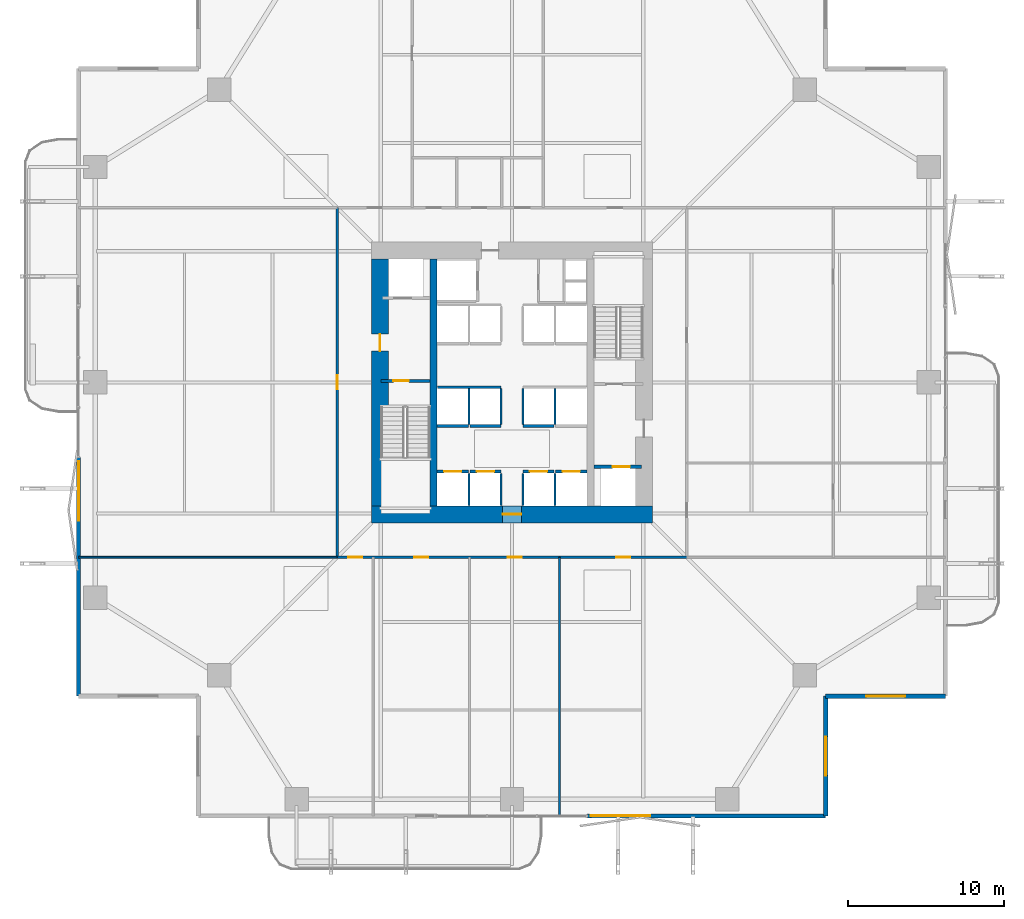
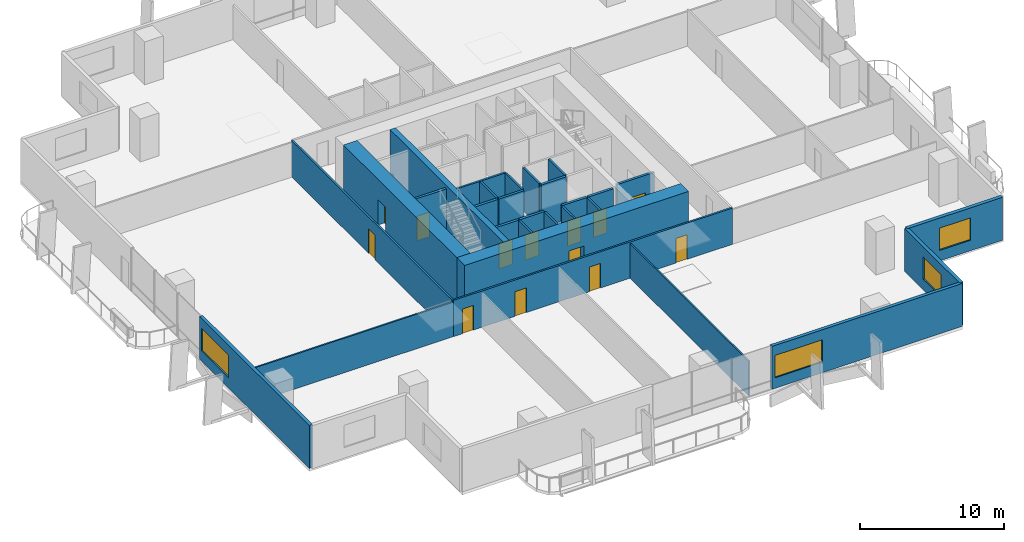
# One storey, part 17 of 23: 29 walls, 13 doors, 4 windows, 17 openings.
"""IFC4 building model written with IfcOpenShell, lengths in metres."""

from ifc_helpers import new_model, si_unit, direction, frame, frame_2d, origin, place, context, subcontext, project, spatial, rectangle, extrude, material, layer, layer_set, type_object, element, fill, save


model = new_model("IFC4")

# Units and contexts
model_context = context("Model", 3, precision=1e-05, world=origin(), true_north=direction((0.0, 1.0)))
body_context = subcontext(model_context, "Body", "Model", "MODEL_VIEW")
ifc_project = project(units=[si_unit("LENGTHUNIT", "METRE"), si_unit("AREAUNIT", "SQUARE_METRE"), si_unit("VOLUMEUNIT", "CUBIC_METRE"), si_unit("PLANEANGLEUNIT", "RADIAN"), si_unit("MASSUNIT", "GRAM", prefix="KILO")], contexts=[model_context])

# Site, building, storey
site_placement = place(None, origin())
site = spatial("IfcSite", under=ifc_project, at=site_placement, CompositionType="ELEMENT")
building_placement = place(site_placement, origin())
building = spatial("IfcBuilding", under=site, at=building_placement, Name="Belovzor Exchange Tower", CompositionType="ELEMENT")
storey_placement = place(building_placement, frame((0.0, 0.0, 41.699951171875)))
storey = spatial("IfcBuildingStorey", under=building, at=storey_placement, Name="L09", CompositionType="ELEMENT", Elevation=41.699951171875)

# Walls
ifc_material_1 = material(Name="Acoustic Plasterboard on Galvanised Studs", Category="gypsum")
ifc_layer_1 = layer(ifc_material_1, 0.1201171875)
ifc_layer_set_1 = layer_set([ifc_layer_1], Name="Acoustic Plasterboard on Galvanised Studs")
wall_type_1 = type_object("IfcWallType", Name="Acoustic Double-Stud Partition Wall 120", PredefinedType="PARTITIONING", material=ifc_layer_set_1)
for number, where, z_axis, x_axis, name in (
    (1, (31.844970703125, 1.030029296875, 0.0), (0.0, 0.0, 1.0), (0.0, 1.0, 0.0), "W-P120 Partition Wall W-L09-SDIV-3"),
    (2, (1.030029296875, 17.60009765625, 0.0), (0.0, 0.0, 1.0), (1.0, 0.0, 0.0), "W-P120 Partition Wall W-L09-END-SW"),
):
    element("IfcWall", number, at=place(storey_placement, frame(where, z_axis=z_axis, x_axis=x_axis)), inside=storey, type_object=wall_type_1, Name=name, PredefinedType="PARTITIONING", context=body_context, shape_type="SweptSolid", body=[
        extrude(rectangle(XDim=16.570068359375, YDim=0.1201171875, at=frame_2d((8.28515625, 0.0))), origin(), (0.0, 0.0, 1.0), 2.93505859375),
    ])

# Wall, openings, doors
ifc_material_2 = material(Name="Fire-Rated Gypsum Block and Mineral Wool", Category="gypsum")
ifc_layer_2 = layer(ifc_material_2, 0.14990234375)
ifc_layer_set_2 = layer_set([ifc_layer_2], Name="Fire-Rated Gypsum Block and Mineral Wool")
wall_type_2 = type_object("IfcWallType", Name="Fire-Rated Gypsum Block Corridor Wall 150", PredefinedType="PARTITIONING", material=ifc_layer_set_2)
wall_1_placement = place(storey_placement, frame((17.60009765625, 17.60009765625, 0.0), z_axis=(0.0, 0.0, 1.0), x_axis=(1.0, 0.0, 0.0)))
wall_1 = element("IfcWall", 3, at=wall_1_placement, inside=storey, type_object=wall_type_2, Name="W-P150 Partition Wall W-L09-CS", PredefinedType="PARTITIONING", context=body_context, shape_type="SweptSolid", body=[
    extrude(rectangle(XDim=22.39990234375, YDim=0.14990234375, at=frame_2d((11.199951171875, 0.0))), origin(), (0.0, 0.0, 1.0), 3.0849609375),
])
opening_1_placement = place(wall_1_placement, frame((0.699951171875, 0.0, 0.0)))
opening_1 = element("IfcOpeningElement", 4, at=opening_1_placement, cuts=wall_1, Name="Opening D-INT-090", PredefinedType="OPENING", context=body_context, shape_type="SweptSolid", body=[
    extrude(rectangle(XDim=0.89990234375, YDim=2.10009765625, at=frame_2d((0.449951171875, 1.050048828125))), frame((0.0, 0.0849609375, 0.0), z_axis=(0.0, -1.0, 0.0), x_axis=(1.0, 0.0, 0.0)), (0.0, 0.0, 1.0), 0.169921875),
])
opening_2_placement = place(wall_1_placement, frame((4.93994140625, 0.0, 0.0)))
opening_2 = element("IfcOpeningElement", 5, at=opening_2_placement, cuts=wall_1, Name="Opening D-INT-090", PredefinedType="OPENING", context=body_context, shape_type="SweptSolid", body=[
    extrude(rectangle(XDim=0.89990234375, YDim=2.10009765625, at=frame_2d((0.449951171875, 1.050048828125))), frame((0.0, 0.0849609375, 0.0), z_axis=(0.0, -1.0, 0.0), x_axis=(1.0, 0.0, 0.0)), (0.0, 0.0, 1.0), 0.169921875),
])
opening_3_placement = place(wall_1_placement, frame((10.912109375, 0.0, 0.0)))
opening_3 = element("IfcOpeningElement", 6, at=opening_3_placement, cuts=wall_1, Name="Opening D-INT-090", PredefinedType="OPENING", context=body_context, shape_type="SweptSolid", body=[
    extrude(rectangle(XDim=0.89990234375, YDim=2.10009765625, at=frame_2d((0.449951171875, 1.050048828125))), frame((0.0, 0.0849609375, 0.0), z_axis=(0.0, -1.0, 0.0), x_axis=(1.0, 0.0, 0.0)), (0.0, 0.0, 1.0), 0.169921875),
])
opening_4_placement = place(wall_1_placement, frame((17.8720703125, 0.0, 0.0)))
opening_4 = element("IfcOpeningElement", 7, at=opening_4_placement, cuts=wall_1, Name="Opening D-INT-090", PredefinedType="OPENING", context=body_context, shape_type="SweptSolid", body=[
    extrude(rectangle(XDim=0.89990234375, YDim=2.10009765625, at=frame_2d((0.449951171875, 1.050048828125))), frame((0.0, 0.0849609375, 0.0), z_axis=(0.0, -1.0, 0.0), x_axis=(1.0, 0.0, 0.0)), (0.0, 0.0, 1.0), 0.169921875),
])
ifc_material_3 = material(Name="Veneered Hardwood Acoustic Leaf", Category="wood")
door_type_1 = type_object("IfcDoorType", Name="Trading Suite Acoustic Single Door 900x2100", OperationType="NOTDEFINED", PredefinedType="DOOR", material=ifc_material_3)
door_1_placement = place(opening_1_placement, origin())
door_1 = element("IfcDoor", 8, at=door_1_placement, inside=storey, type_object=door_type_1, Name="D-INT-090 Trading Suite Acoustic Single Door 900x2100", OperationType="SINGLE_SWING_RIGHT", OverallHeight=2.10009765625, OverallWidth=0.89990234375, PredefinedType="DOOR", context=body_context, shape_type="SweptSolid", body=[
    extrude(rectangle(XDim=0.89990234375, YDim=2.10009765625, at=frame_2d((0.449951171875, 1.050048828125))), frame((0.0, 0.02490234375, 0.0), z_axis=(0.0, -1.0, 0.0), x_axis=(1.0, 0.0, 0.0)), (0.0, 0.0, 1.0), 0.050048828125),
])
fill(opening_1, door_1)
door_2_placement = place(opening_2_placement, origin())
door_2 = element("IfcDoor", 9, at=door_2_placement, inside=storey, type_object=door_type_1, Name="D-INT-090 Trading Suite Acoustic Single Door 900x2100", OperationType="SINGLE_SWING_LEFT", OverallHeight=2.10009765625, OverallWidth=0.89990234375, PredefinedType="DOOR", context=body_context, shape_type="SweptSolid", body=[
    extrude(rectangle(XDim=0.89990234375, YDim=2.10009765625, at=frame_2d((0.449951171875, 1.050048828125))), frame((0.0, 0.02490234375, 0.0), z_axis=(0.0, -1.0, 0.0), x_axis=(1.0, 0.0, 0.0)), (0.0, 0.0, 1.0), 0.050048828125),
])
fill(opening_2, door_2)
door_3_placement = place(opening_3_placement, origin())
door_3 = element("IfcDoor", 10, at=door_3_placement, inside=storey, type_object=door_type_1, Name="D-INT-090 Trading Suite Acoustic Single Door 900x2100", OperationType="SINGLE_SWING_RIGHT", OverallHeight=2.10009765625, OverallWidth=0.89990234375, PredefinedType="DOOR", context=body_context, shape_type="SweptSolid", body=[
    extrude(rectangle(XDim=0.89990234375, YDim=2.10009765625, at=frame_2d((0.449951171875, 1.050048828125))), frame((0.0, 0.02490234375, 0.0), z_axis=(0.0, -1.0, 0.0), x_axis=(1.0, 0.0, 0.0)), (0.0, 0.0, 1.0), 0.050048828125),
])
fill(opening_3, door_3)
door_4_placement = place(opening_4_placement, origin())
door_4 = element("IfcDoor", 11, at=door_4_placement, inside=storey, type_object=door_type_1, Name="D-INT-090 Trading Suite Acoustic Single Door 900x2100", OperationType="SINGLE_SWING_LEFT", OverallHeight=2.10009765625, OverallWidth=0.89990234375, PredefinedType="DOOR", context=body_context, shape_type="SweptSolid", body=[
    extrude(rectangle(XDim=0.89990234375, YDim=2.10009765625, at=frame_2d((0.449951171875, 1.050048828125))), frame((0.0, 0.02490234375, 0.0), z_axis=(0.0, -1.0, 0.0), x_axis=(1.0, 0.0, 0.0)), (0.0, 0.0, 1.0), 0.050048828125),
])
fill(opening_4, door_4)

# Wall, opening, door
wall_2_placement = place(storey_placement, frame((17.60009765625, 17.60009765625, 0.0), z_axis=(0.0, 0.0, 1.0), x_axis=(0.0, 1.0, 0.0)))
wall_2 = element("IfcWall", 12, at=wall_2_placement, inside=storey, type_object=wall_type_2, Name="W-P150 Partition Wall W-L09-CW", PredefinedType="PARTITIONING", context=body_context, shape_type="SweptSolid", body=[
    extrude(rectangle(XDim=22.39990234375, YDim=0.14990234375, at=frame_2d((11.199951171875, 0.0))), origin(), (0.0, 0.0, 1.0), 3.0849609375),
])
opening_5_placement = place(wall_2_placement, frame((10.75, 0.0, 0.0)))
opening_5 = element("IfcOpeningElement", 13, at=opening_5_placement, cuts=wall_2, Name="Opening D-INT-090", PredefinedType="OPENING", context=body_context, shape_type="SweptSolid", body=[
    extrude(rectangle(XDim=0.89990234375, YDim=2.10009765625, at=frame_2d((0.449951171875, 1.050048828125))), frame((0.0, 0.0849609375, 0.0), z_axis=(0.0, -1.0, 0.0), x_axis=(1.0, 0.0, 0.0)), (0.0, 0.0, 1.0), 0.169921875),
])
door_5_placement = place(opening_5_placement, origin())
door_5 = element("IfcDoor", 14, at=door_5_placement, inside=storey, type_object=door_type_1, Name="D-INT-090 Trading Suite Acoustic Single Door 900x2100", OperationType="SINGLE_SWING_RIGHT", OverallHeight=2.10009765625, OverallWidth=0.89990234375, PredefinedType="DOOR", context=body_context, shape_type="SweptSolid", body=[
    extrude(rectangle(XDim=0.89990234375, YDim=2.10009765625, at=frame_2d((0.449951171875, 1.050048828125))), frame((0.0, 0.02490234375, 0.0), z_axis=(0.0, -1.0, 0.0), x_axis=(1.0, 0.0, 0.0)), (0.0, 0.0, 1.0), 0.050048828125),
])
fill(opening_5, door_5)

# Wall, opening, window
ifc_material_4 = material(Name="Precast concrete C40/50", Category="concrete")
ifc_layer_3 = layer(ifc_material_4, 0.280029296875)
ifc_layer_set_3 = layer_set([ifc_layer_3], Name="Precast concrete C40/50")
wall_type_3 = type_object("IfcWallType", Name="Precast Concrete Notched Corner Frame Wall 280", PredefinedType="SOLIDWALL", material=ifc_layer_set_3)
wall_3_placement = place(storey_placement, frame((56.570068359375, 8.699951171875, 0.0), z_axis=(0.0, 0.0, 1.0), x_axis=(-1.0, 0.0, 0.0)))
wall_3 = element("IfcWall", 15, at=wall_3_placement, inside=storey, type_object=wall_type_3, Name="W-CRN280 Precast Concrete Notched Corner Frame Wall 280 L09", PredefinedType="SOLIDWALL", context=body_context, shape_type="SweptSolid", body=[
    extrude(rectangle(XDim=7.670166015625, YDim=0.280029296875, at=frame_2d((3.8349609375, 0.0))), origin(), (0.0, 0.0, 1.0), 3.650146484375),
])
opening_6_placement = place(wall_3_placement, frame((2.5849609375, 0.0, 0.89990234375)))
opening_6 = element("IfcOpeningElement", 16, at=opening_6_placement, cuts=wall_3, Name="Opening WN-CRN250", PredefinedType="OPENING", context=body_context, shape_type="SweptSolid", body=[
    extrude(rectangle(XDim=2.5, YDim=1.89990234375, at=frame_2d((1.25, 0.949951171875))), frame((0.0, 0.14990234375, 0.0), z_axis=(0.0, -1.0, 0.0), x_axis=(1.0, 0.0, 0.0)), (0.0, 0.0, 1.0), 0.300048828125),
])
ifc_material_5 = material(Name="Thermally Broken Aluminium and Triple Glazing", Category="aluminium")
window_type_1 = type_object("IfcWindowType", Name="Streamline Moderne Corner Wrap Ribbon Window 2500x1900", PartitioningType="SINGLE_PANEL", PredefinedType="WINDOW", material=ifc_material_5)
window_1_placement = place(opening_6_placement, origin())
window_1 = element("IfcWindow", 17, at=window_1_placement, inside=storey, type_object=window_type_1, Name="WN-CRN250 Streamline Moderne Corner Wrap Ribbon Window 2500x1900", OverallHeight=1.89990234375, OverallWidth=2.5, PartitioningType="SINGLE_PANEL", PredefinedType="WINDOW", context=body_context, shape_type="SweptSolid", body=[
    extrude(rectangle(XDim=2.5, YDim=1.89990234375, at=frame_2d((1.25, 0.949951171875))), frame((0.0, 0.030029296875, 0.0), z_axis=(0.0, -1.0, 0.0), x_axis=(1.0, 0.0, 0.0)), (0.0, 0.0, 1.0), 0.06005859375),
])
fill(opening_6, window_1)

wall_4_placement = place(storey_placement, frame((48.89990234375, 8.699951171875, 0.0), z_axis=(0.0, 0.0, 1.0), x_axis=(0.0, -1.0, 0.0)))
wall_4 = element("IfcWall", 18, at=wall_4_placement, inside=storey, type_object=wall_type_3, Name="W-CRN280 Precast Concrete Notched Corner Frame Wall 280 L09", PredefinedType="SOLIDWALL", context=body_context, shape_type="SweptSolid", body=[
    extrude(rectangle(XDim=7.669921875, YDim=0.280029296875, at=frame_2d((3.8349609375, 0.0))), origin(), (0.0, 0.0, 1.0), 3.650146484375),
])
opening_7_placement = place(wall_4_placement, frame((2.5849609375, 0.0, 0.89990234375)))
opening_7 = element("IfcOpeningElement", 19, at=opening_7_placement, cuts=wall_4, Name="Opening WN-CRN250", PredefinedType="OPENING", context=body_context, shape_type="SweptSolid", body=[
    extrude(rectangle(XDim=2.5, YDim=1.89990234375, at=frame_2d((1.25, 0.949951171875))), frame((0.0, 0.14990234375, 0.0), z_axis=(0.0, -1.0, 0.0), x_axis=(1.0, 0.0, 0.0)), (0.0, 0.0, 1.0), 0.300048828125),
])
window_2_placement = place(opening_7_placement, origin())
window_2 = element("IfcWindow", 20, at=window_2_placement, inside=storey, type_object=window_type_1, Name="WN-CRN250 Streamline Moderne Corner Wrap Ribbon Window 2500x1900", OverallHeight=1.89990234375, OverallWidth=2.5, PartitioningType="SINGLE_PANEL", PredefinedType="WINDOW", context=body_context, shape_type="SweptSolid", body=[
    extrude(rectangle(XDim=2.5, YDim=1.89990234375, at=frame_2d((1.25, 0.949951171875))), frame((0.0, 0.030029296875, 0.0), z_axis=(0.0, -1.0, 0.0), x_axis=(1.0, 0.0, 0.0)), (0.0, 0.0, 1.0), 0.06005859375),
])
fill(opening_7, window_2)

ifc_material_6 = material(Name="Precast concrete C40/50", Category="concrete")
ifc_layer_4 = layer(ifc_material_6, 0.260009765625)
ifc_layer_set_4 = layer_set([ifc_layer_4], Name="Precast concrete C40/50")
wall_type_4 = type_object("IfcWallType", Name="Precast Concrete Perimeter Loggia Frame Wall 260", PredefinedType="SOLIDWALL", material=ifc_layer_set_4)
wall_5_placement = place(storey_placement, frame((48.89990234375, 1.030029296875, 0.0), z_axis=(0.0, 0.0, 1.0), x_axis=(-1.0, 0.0, 0.0)))
wall_5 = element("IfcWall", 21, at=wall_5_placement, inside=storey, type_object=wall_type_4, Name="W-EXT260 Precast Concrete Perimeter Loggia Frame Wall 260 L09", PredefinedType="SOLIDWALL", context=body_context, shape_type="SweptSolid", body=[
    extrude(rectangle(XDim=15.2998046875, YDim=0.260009765625, at=frame_2d((7.64990234375, 0.0))), origin(), (0.0, 0.0, 1.0), 3.650146484375),
])
opening_8_placement = place(wall_5_placement, frame((11.25, 0.0, 0.89990234375)))
opening_8 = element("IfcOpeningElement", 22, at=opening_8_placement, cuts=wall_5, Name="Opening WN-RIB380", PredefinedType="OPENING", context=body_context, shape_type="SweptSolid", body=[
    extrude(rectangle(XDim=3.800048828125, YDim=1.89990234375, at=frame_2d((1.89990234375, 0.949951171875))), frame((0.0, 0.139892578125, 0.0), z_axis=(0.0, -1.0, 0.0), x_axis=(1.0, 0.0, 0.0)), (0.0, 0.0, 1.0), 0.280029296875),
])
ifc_material_7 = material(Name="Thermally Broken Aluminium and Triple Glazing", Category="aluminium")
window_type_2 = type_object("IfcWindowType", Name="Streamline Moderne Horizontal Ribbon Window 3800x1900", PartitioningType="SINGLE_PANEL", PredefinedType="WINDOW", material=ifc_material_7)
window_3_placement = place(opening_8_placement, origin())
window_3 = element("IfcWindow", 23, at=window_3_placement, inside=storey, type_object=window_type_2, Name="WN-RIB380 Streamline Moderne Horizontal Ribbon Window 3800x1900", OverallHeight=1.89990234375, OverallWidth=3.800048828125, PartitioningType="SINGLE_PANEL", PredefinedType="WINDOW", context=body_context, shape_type="SweptSolid", body=[
    extrude(rectangle(XDim=3.800048828125, YDim=1.89990234375, at=frame_2d((1.89990234375, 0.949951171875))), frame((0.0, 0.030029296875, 0.0), z_axis=(0.0, -1.0, 0.0), x_axis=(1.0, 0.0, 0.0)), (0.0, 0.0, 1.0), 0.06005859375),
])
fill(opening_8, window_3)

wall_6_placement = place(storey_placement, frame((1.030029296875, 8.699951171875, 0.0), z_axis=(0.0, 0.0, 1.0), x_axis=(0.0, 1.0, 0.0)))
wall_6 = element("IfcWall", 24, at=wall_6_placement, inside=storey, type_object=wall_type_4, Name="W-EXT260 Precast Concrete Perimeter Loggia Frame Wall 260 L09", PredefinedType="SOLIDWALL", context=body_context, shape_type="SweptSolid", body=[
    extrude(rectangle(XDim=15.300048828125, YDim=0.260009765625, at=frame_2d((7.64990234375, 0.0))), origin(), (0.0, 0.0, 1.0), 3.650146484375),
])
opening_9_placement = place(wall_6_placement, frame((11.25, 0.0, 0.89990234375)))
opening_9 = element("IfcOpeningElement", 25, at=opening_9_placement, cuts=wall_6, Name="Opening WN-RIB380", PredefinedType="OPENING", context=body_context, shape_type="SweptSolid", body=[
    extrude(rectangle(XDim=3.800048828125, YDim=1.89990234375, at=frame_2d((1.89990234375, 0.949951171875))), frame((0.0, 0.139892578125, 0.0), z_axis=(0.0, -1.0, 0.0), x_axis=(1.0, 0.0, 0.0)), (0.0, 0.0, 1.0), 0.280029296875),
])
window_4_placement = place(opening_9_placement, origin())
window_4 = element("IfcWindow", 26, at=window_4_placement, inside=storey, type_object=window_type_2, Name="WN-RIB380 Streamline Moderne Horizontal Ribbon Window 3800x1900", OverallHeight=1.89990234375, OverallWidth=3.800048828125, PartitioningType="SINGLE_PANEL", PredefinedType="WINDOW", context=body_context, shape_type="SweptSolid", body=[
    extrude(rectangle(XDim=3.800048828125, YDim=1.89990234375, at=frame_2d((1.89990234375, 0.949951171875))), frame((0.0, 0.030029296875, 0.0), z_axis=(0.0, -1.0, 0.0), x_axis=(1.0, 0.0, 0.0)), (0.0, 0.0, 1.0), 0.06005859375),
])
fill(opening_9, window_4)

# Walls
ifc_material_8 = material(Name="Concrete C50/60", Category="concrete")
ifc_layer_5 = layer(ifc_material_8, 0.449951171875)
ifc_layer_set_5 = layer_set([ifc_layer_5], Name="Concrete C50/60")
wall_type_5 = type_object("IfcWallType", Name="Reinforced Concrete Core Internal Web Wall 450", PredefinedType="SHEAR", material=ifc_layer_set_5)
wall_7_placement = place(storey_placement, frame((23.77490234375, 20.89990234375, 0.0), z_axis=(0.0, 0.0, 1.0), x_axis=(0.0, 1.0, 0.0)))
element("IfcWall", 27, at=wall_7_placement, inside=storey, type_object=wall_type_5, Name="CW-W045 Core Internal Web Wall L09 WL", PredefinedType="SHEAR", context=body_context, shape_type="SweptSolid", body=[
    extrude(rectangle(XDim=15.800048828125, YDim=0.449951171875, at=frame_2d((7.89990234375, 0.0))), origin(), (0.0, 0.0, 1.0), 3.900146484375),
])
ifc_material_9 = material(Name="Concrete C50/60", Category="concrete")
ifc_layer_6 = layer(ifc_material_9, 0.14990234375)
ifc_layer_set_6 = layer_set([ifc_layer_6], Name="Concrete C50/60")
wall_type_6 = type_object("IfcWallType", Name="Reinforced Concrete Core Riser Shear Wall 150", PredefinedType="SHEAR", material=ifc_layer_set_6)
for number, where, z_axis, x_axis, name in (
    (28, (26.050048828125, 20.919921875, 0.0), (0.0, 0.0, 1.0), (0.0, 1.0, 0.0), "W-C150S Core Shaft Wall W-SHD-L09-PLL-1"),
    (29, (28.10009765625, 20.919921875, 0.0), (0.0, 0.0, 1.0), (0.0, 1.0, 0.0), "W-C150S Core Shaft Wall W-SHD-L09-PLL-2"),
    (30, (29.5, 20.919921875, 0.0), (0.0, 0.0, 1.0), (0.0, 1.0, 0.0), "W-C150S Core Shaft Wall W-SHD-L09-PLL-3"),
    (31, (31.550048828125, 20.919921875, 0.0), (0.0, 0.0, 1.0), (0.0, 1.0, 0.0), "W-C150S Core Shaft Wall W-SHD-L09-PLL-4"),
):
    element("IfcWall", number, at=place(storey_placement, frame(where, z_axis=z_axis, x_axis=x_axis)), inside=storey, type_object=wall_type_6, Name=name, PredefinedType="SHEAR", context=body_context, shape_type="SweptSolid", body=[
        extrude(rectangle(XDim=2.06005859375, YDim=0.14990234375, at=frame_2d((1.030029296875, 0.0))), origin(), (0.0, 0.0, 1.0), 3.650146484375),
    ])
wall_8_placement = place(storey_placement, frame((24.02001953125, 28.5, 0.0), z_axis=(0.0, 0.0, 1.0), x_axis=(1.0, 0.0, 0.0)))
element("IfcWall", 32, at=wall_8_placement, inside=storey, type_object=wall_type_6, Name="W-C150S Core Shaft Wall W-SHB-L09-PLM-NW", PredefinedType="SHEAR", context=body_context, shape_type="SweptSolid", body=[
    extrude(rectangle(XDim=4.080078125, YDim=0.14990234375, at=frame_2d((2.0400390625, 0.0))), origin(), (0.0, 0.0, 1.0), 3.650146484375),
])
for number, where, z_axis, x_axis, name in (
    (33, (26.050048828125, 26.1201171875, 0.0), (0.0, 0.0, 1.0), (0.0, 1.0, 0.0), "W-C150S Core Shaft Wall W-SHD-L09-PLM-1"),
    (34, (28.10009765625, 26.1201171875, 0.0), (0.0, 0.0, 1.0), (0.0, 1.0, 0.0), "W-C150S Core Shaft Wall W-SHD-L09-PLM-2"),
    (35, (29.5, 26.1201171875, 0.0), (0.0, 0.0, 1.0), (0.0, 1.0, 0.0), "W-C150S Core Shaft Wall W-SHD-L09-PLM-3"),
    (36, (31.550048828125, 26.1201171875, 0.0), (0.0, 0.0, 1.0), (0.0, 1.0, 0.0), "W-C150S Core Shaft Wall W-SHD-L09-PLM-4"),
):
    element("IfcWall", number, at=place(storey_placement, frame(where, z_axis=z_axis, x_axis=x_axis)), inside=storey, type_object=wall_type_6, Name=name, PredefinedType="SHEAR", context=body_context, shape_type="SweptSolid", body=[
        extrude(rectangle(XDim=2.27978515625, YDim=0.14990234375, at=frame_2d((1.139892578125, 0.0))), origin(), (0.0, 0.0, 1.0), 3.650146484375),
    ])

# Wall, opening, door
ifc_material_10 = material(Name="Concrete C50/60", Category="concrete")
ifc_layer_7 = layer(ifc_material_10, 0.199951171875)
ifc_layer_set_7 = layer_set([ifc_layer_7], Name="Concrete C50/60")
wall_type_7 = type_object("IfcWallType", Name="Reinforced Concrete Core Shaft Shear Wall 200", PredefinedType="SHEAR", material=ifc_layer_set_7)
wall_9_placement = place(storey_placement, frame((20.39990234375, 28.89990234375, 0.0), z_axis=(0.0, 0.0, 1.0), x_axis=(1.0, 0.0, 0.0)))
wall_9 = element("IfcWall", 37, at=wall_9_placement, inside=storey, type_object=wall_type_7, Name="W-C200S Core Shaft Wall W-CORE-L09-FFLW1", PredefinedType="SHEAR", context=body_context, shape_type="SweptSolid", body=[
    extrude(rectangle(XDim=3.150146484375, YDim=0.199951171875, at=frame_2d((1.5751953125, 0.0))), origin(), (0.0, 0.0, 1.0), 3.650146484375),
])
opening_10_placement = place(wall_9_placement, frame((0.800048828125, 0.0, 0.0)))
opening_10 = element("IfcOpeningElement", 38, at=opening_10_placement, cuts=wall_9, Name="Opening D-FD90-100", PredefinedType="OPENING", context=body_context, shape_type="SweptSolid", body=[
    extrude(rectangle(XDim=1.0, YDim=2.10009765625, at=frame_2d((0.5, 1.050048828125))), frame((0.0, 0.10986328125, 0.0), z_axis=(0.0, -1.0, 0.0), x_axis=(1.0, 0.0, 0.0)), (0.0, 0.0, 1.0), 0.219970703125),
])
ifc_material_11 = material(Name="Fire-Rated Galvanised Steel Leaf", Category="steel")
door_type_2 = type_object("IfcDoorType", Name="Protected Stairwell Single Fire Door 1000x2100", OperationType="NOTDEFINED", PredefinedType="DOOR", material=ifc_material_11)
door_6_placement = place(opening_10_placement, origin())
door_6 = element("IfcDoor", 39, at=door_6_placement, inside=storey, type_object=door_type_2, Name="D-FD90-100 Protected Stairwell Single Fire Door 1000x2100", OperationType="SINGLE_SWING_RIGHT", OverallHeight=2.10009765625, OverallWidth=1.0, PredefinedType="DOOR", context=body_context, shape_type="SweptSolid", body=[
    extrude(rectangle(XDim=1.0, YDim=2.10009765625, at=frame_2d((0.5, 1.050048828125))), frame((0.0, 0.02490234375, 0.0), z_axis=(0.0, -1.0, 0.0), x_axis=(1.0, 0.0, 0.0)), (0.0, 0.0, 1.0), 0.050048828125),
])
fill(opening_10, door_6)

wall_10_placement = place(storey_placement, frame((34.050048828125, 23.39990234375, 0.0), z_axis=(0.0, 0.0, 1.0), x_axis=(1.0, 0.0, 0.0)))
wall_10 = element("IfcWall", 40, at=wall_10_placement, inside=storey, type_object=wall_type_7, Name="W-C200S Core Shaft Wall W-SH-L09-FFL-02", PredefinedType="SHEAR", context=body_context, shape_type="SweptSolid", body=[
    extrude(rectangle(XDim=3.050048828125, YDim=0.199951171875, at=frame_2d((1.52490234375, 0.0))), origin(), (0.0, 0.0, 1.0), 3.650146484375),
])
opening_11_placement = place(wall_10_placement, frame((1.199951171875, 0.0, 0.0)))
opening_11 = element("IfcOpeningElement", 41, at=opening_11_placement, cuts=wall_10, Name="Opening LD-110", PredefinedType="OPENING", context=body_context, shape_type="SweptSolid", body=[
    extrude(rectangle(XDim=1.10009765625, YDim=2.14990234375, at=frame_2d((0.550048828125, 1.074951171875))), frame((0.0, 0.10986328125, 0.0), z_axis=(0.0, -1.0, 0.0), x_axis=(1.0, 0.0, 0.0)), (0.0, 0.0, 1.0), 0.219970703125),
])
ifc_material_12 = material(Name="Stainless Steel Grade 304", Category="steel")
door_type_3 = type_object("IfcDoorType", Name="Automated Stainless Steel Lift Landing Door 1100x2150", OperationType="SLIDING_TO_RIGHT", PredefinedType="DOOR", material=ifc_material_12)
door_7_placement = place(opening_11_placement, origin())
door_7 = element("IfcDoor", 42, at=door_7_placement, inside=storey, type_object=door_type_3, Name="LD-110 Automated Stainless Steel Lift Landing Door 1100x2150", OperationType="SLIDING_TO_RIGHT", OverallHeight=2.14990234375, OverallWidth=1.10009765625, PredefinedType="DOOR", context=body_context, shape_type="SweptSolid", body=[
    extrude(rectangle(XDim=1.10009765625, YDim=2.14990234375, at=frame_2d((0.550048828125, 1.074951171875))), frame((0.0, 0.02490234375, 0.0), z_axis=(0.0, -1.0, 0.0), x_axis=(1.0, 0.0, 0.0)), (0.0, 0.0, 1.0), 0.050048828125),
])
fill(opening_11, door_7)

wall_11_placement = place(storey_placement, frame((24.0, 23.10009765625, 0.0), z_axis=(0.0, 0.0, 1.0), x_axis=(1.0, 0.0, 0.0)))
wall_11 = element("IfcWall", 43, at=wall_11_placement, inside=storey, type_object=wall_type_7, Name="W-C200S Core Shaft Wall W-SH-L09-PL-L1", PredefinedType="SHEAR", context=body_context, shape_type="SweptSolid", body=[
    extrude(rectangle(XDim=2.0, YDim=0.199951171875, at=frame_2d((1.0, 0.0))), origin(), (0.0, 0.0, 1.0), 3.650146484375),
])
opening_12_placement = place(wall_11_placement, frame((0.449951171875, 0.0, 0.0)))
opening_12 = element("IfcOpeningElement", 44, at=opening_12_placement, cuts=wall_11, Name="Opening LD-110", PredefinedType="OPENING", context=body_context, shape_type="SweptSolid", body=[
    extrude(rectangle(XDim=1.10009765625, YDim=2.14990234375, at=frame_2d((0.550048828125, 1.074951171875))), frame((0.0, 0.10986328125, 0.0), z_axis=(0.0, -1.0, 0.0), x_axis=(1.0, 0.0, 0.0)), (0.0, 0.0, 1.0), 0.219970703125),
])
door_8_placement = place(opening_12_placement, origin())
door_8 = element("IfcDoor", 45, at=door_8_placement, inside=storey, type_object=door_type_3, Name="LD-110 Automated Stainless Steel Lift Landing Door 1100x2150", OperationType="SLIDING_TO_RIGHT", OverallHeight=2.14990234375, OverallWidth=1.10009765625, PredefinedType="DOOR", context=body_context, shape_type="SweptSolid", body=[
    extrude(rectangle(XDim=1.10009765625, YDim=2.14990234375, at=frame_2d((0.550048828125, 1.074951171875))), frame((0.0, 0.02490234375, 0.0), z_axis=(0.0, -1.0, 0.0), x_axis=(1.0, 0.0, 0.0)), (0.0, 0.0, 1.0), 0.050048828125),
])
fill(opening_12, door_8)

wall_12_placement = place(storey_placement, frame((26.10009765625, 23.10009765625, 0.0), z_axis=(0.0, 0.0, 1.0), x_axis=(1.0, 0.0, 0.0)))
wall_12 = element("IfcWall", 46, at=wall_12_placement, inside=storey, type_object=wall_type_7, Name="W-C200S Core Shaft Wall W-SH-L09-PL-L2", PredefinedType="SHEAR", context=body_context, shape_type="SweptSolid", body=[
    extrude(rectangle(XDim=2.0, YDim=0.199951171875, at=frame_2d((1.0, 0.0))), origin(), (0.0, 0.0, 1.0), 3.650146484375),
])
opening_13_placement = place(wall_12_placement, frame((0.449951171875, 0.0, 0.0)))
opening_13 = element("IfcOpeningElement", 47, at=opening_13_placement, cuts=wall_12, Name="Opening LD-110", PredefinedType="OPENING", context=body_context, shape_type="SweptSolid", body=[
    extrude(rectangle(XDim=1.10009765625, YDim=2.14990234375, at=frame_2d((0.550048828125, 1.074951171875))), frame((0.0, 0.10986328125, 0.0), z_axis=(0.0, -1.0, 0.0), x_axis=(1.0, 0.0, 0.0)), (0.0, 0.0, 1.0), 0.219970703125),
])
door_9_placement = place(opening_13_placement, origin())
door_9 = element("IfcDoor", 48, at=door_9_placement, inside=storey, type_object=door_type_3, Name="LD-110 Automated Stainless Steel Lift Landing Door 1100x2150", OperationType="SLIDING_TO_RIGHT", OverallHeight=2.14990234375, OverallWidth=1.10009765625, PredefinedType="DOOR", context=body_context, shape_type="SweptSolid", body=[
    extrude(rectangle(XDim=1.10009765625, YDim=2.14990234375, at=frame_2d((0.550048828125, 1.074951171875))), frame((0.0, 0.02490234375, 0.0), z_axis=(0.0, -1.0, 0.0), x_axis=(1.0, 0.0, 0.0)), (0.0, 0.0, 1.0), 0.050048828125),
])
fill(opening_13, door_9)

wall_13_placement = place(storey_placement, frame((29.5, 23.10009765625, 0.0), z_axis=(0.0, 0.0, 1.0), x_axis=(1.0, 0.0, 0.0)))
wall_13 = element("IfcWall", 49, at=wall_13_placement, inside=storey, type_object=wall_type_7, Name="W-C200S Core Shaft Wall W-SH-L09-PL-L3", PredefinedType="SHEAR", context=body_context, shape_type="SweptSolid", body=[
    extrude(rectangle(XDim=2.0, YDim=0.199951171875, at=frame_2d((1.0, 0.0))), origin(), (0.0, 0.0, 1.0), 3.650146484375),
])
opening_14_placement = place(wall_13_placement, frame((0.449951171875, 0.0, 0.0)))
opening_14 = element("IfcOpeningElement", 50, at=opening_14_placement, cuts=wall_13, Name="Opening LD-110", PredefinedType="OPENING", context=body_context, shape_type="SweptSolid", body=[
    extrude(rectangle(XDim=1.10009765625, YDim=2.14990234375, at=frame_2d((0.550048828125, 1.074951171875))), frame((0.0, 0.10986328125, 0.0), z_axis=(0.0, -1.0, 0.0), x_axis=(1.0, 0.0, 0.0)), (0.0, 0.0, 1.0), 0.219970703125),
])
door_10_placement = place(opening_14_placement, origin())
door_10 = element("IfcDoor", 51, at=door_10_placement, inside=storey, type_object=door_type_3, Name="LD-110 Automated Stainless Steel Lift Landing Door 1100x2150", OperationType="SLIDING_TO_RIGHT", OverallHeight=2.14990234375, OverallWidth=1.10009765625, PredefinedType="DOOR", context=body_context, shape_type="SweptSolid", body=[
    extrude(rectangle(XDim=1.10009765625, YDim=2.14990234375, at=frame_2d((0.550048828125, 1.074951171875))), frame((0.0, 0.02490234375, 0.0), z_axis=(0.0, -1.0, 0.0), x_axis=(1.0, 0.0, 0.0)), (0.0, 0.0, 1.0), 0.050048828125),
])
fill(opening_14, door_10)

wall_14_placement = place(storey_placement, frame((31.60009765625, 23.10009765625, 0.0), z_axis=(0.0, 0.0, 1.0), x_axis=(1.0, 0.0, 0.0)))
wall_14 = element("IfcWall", 52, at=wall_14_placement, inside=storey, type_object=wall_type_7, Name="W-C200S Core Shaft Wall W-SH-L09-PL-L4", PredefinedType="SHEAR", context=body_context, shape_type="SweptSolid", body=[
    extrude(rectangle(XDim=2.0, YDim=0.199951171875, at=frame_2d((1.0, 0.0))), origin(), (0.0, 0.0, 1.0), 3.650146484375),
])
opening_15_placement = place(wall_14_placement, frame((0.449951171875, 0.0, 0.0)))
opening_15 = element("IfcOpeningElement", 53, at=opening_15_placement, cuts=wall_14, Name="Opening LD-110", PredefinedType="OPENING", context=body_context, shape_type="SweptSolid", body=[
    extrude(rectangle(XDim=1.10009765625, YDim=2.14990234375, at=frame_2d((0.550048828125, 1.074951171875))), frame((0.0, 0.10986328125, 0.0), z_axis=(0.0, -1.0, 0.0), x_axis=(1.0, 0.0, 0.0)), (0.0, 0.0, 1.0), 0.219970703125),
])
door_11_placement = place(opening_15_placement, origin())
door_11 = element("IfcDoor", 54, at=door_11_placement, inside=storey, type_object=door_type_3, Name="LD-110 Automated Stainless Steel Lift Landing Door 1100x2150", OperationType="SLIDING_TO_RIGHT", OverallHeight=2.14990234375, OverallWidth=1.10009765625, PredefinedType="DOOR", context=body_context, shape_type="SweptSolid", body=[
    extrude(rectangle(XDim=1.10009765625, YDim=2.14990234375, at=frame_2d((0.550048828125, 1.074951171875))), frame((0.0, 0.02490234375, 0.0), z_axis=(0.0, -1.0, 0.0), x_axis=(1.0, 0.0, 0.0)), (0.0, 0.0, 1.0), 0.050048828125),
])
fill(opening_15, door_11)

# Walls
for number, where, z_axis, x_axis, name in (
    (55, (24.0, 26.0, 0.0), (0.0, 0.0, 1.0), (1.0, 0.0, 0.0), "W-C200S Core Shaft Wall W-SH-L09-PL-M1"),
    (56, (26.10009765625, 26.0, 0.0), (0.0, 0.0, 1.0), (1.0, 0.0, 0.0), "W-C200S Core Shaft Wall W-SH-L09-PL-M2"),
    (57, (29.5, 26.0, 0.0), (0.0, 0.0, 1.0), (1.0, 0.0, 0.0), "W-C200S Core Shaft Wall W-SH-L09-PL-M3"),
):
    element("IfcWall", number, at=place(storey_placement, frame(where, z_axis=z_axis, x_axis=x_axis)), inside=storey, type_object=wall_type_7, Name=name, PredefinedType="SHEAR", context=body_context, shape_type="SweptSolid", body=[
        extrude(rectangle(XDim=2.0, YDim=0.199951171875, at=frame_2d((1.0, 0.0))), origin(), (0.0, 0.0, 1.0), 3.650146484375),
    ])

# Wall, opening, door
ifc_material_13 = material(Name="Concrete C60/75", Category="concrete")
ifc_layer_8 = layer(ifc_material_13, 1.10009765625)
ifc_layer_set_8 = layer_set([ifc_layer_8], Name="Concrete C60/75")
wall_type_8 = type_object("IfcWallType", Name="Reinforced Concrete Core Shear Wall 1100", PredefinedType="SHEAR", material=ifc_layer_set_8)
wall_15_placement = place(storey_placement, frame((19.800048828125, 20.35009765625, 0.0), z_axis=(0.0, 0.0, 1.0), x_axis=(1.0, 0.0, 0.0)))
wall_15 = element("IfcWall", 58, at=wall_15_placement, inside=storey, type_object=wall_type_8, Name="CW-S110 Core Shear Wall L09 S", PredefinedType="SHEAR", context=body_context, shape_type="SweptSolid", body=[
    extrude(rectangle(XDim=18.0, YDim=1.10009765625, at=frame_2d((9.0, 0.0))), origin(), (0.0, 0.0, 1.0), 3.900146484375),
])
opening_16_placement = place(wall_15_placement, frame((8.39990234375, 0.0, 0.0)))
opening_16 = element("IfcOpeningElement", 59, at=opening_16_placement, cuts=wall_15, Name="Opening D-FD90-120", PredefinedType="OPENING", context=body_context, shape_type="SweptSolid", body=[
    extrude(rectangle(XDim=1.199951171875, YDim=2.199951171875, at=frame_2d((0.60009765625, 1.10009765625))), frame((0.0, 0.56005859375, 0.0), z_axis=(0.0, -1.0, 0.0), x_axis=(1.0, 0.0, 0.0)), (0.0, 0.0, 1.0), 1.1201171875),
])
ifc_material_14 = material(Name="Fire-Rated Galvanised Steel Leaf", Category="steel")
door_type_4 = type_object("IfcDoorType", Name="Heavy Plant & Foyer Fire Door 1200x2200", OperationType="NOTDEFINED", PredefinedType="DOOR", material=ifc_material_14)
door_12_placement = place(opening_16_placement, origin())
door_12 = element("IfcDoor", 60, at=door_12_placement, inside=storey, type_object=door_type_4, Name="D-FD90-120 Heavy Plant & Foyer Fire Door 1200x2200", OperationType="SINGLE_SWING_LEFT", OverallHeight=2.199951171875, OverallWidth=1.199951171875, PredefinedType="DOOR", context=body_context, shape_type="SweptSolid", body=[
    extrude(rectangle(XDim=1.199951171875, YDim=2.199951171875, at=frame_2d((0.60009765625, 1.10009765625))), frame((0.0, 0.02490234375, 0.0), z_axis=(0.0, -1.0, 0.0), x_axis=(1.0, 0.0, 0.0)), (0.0, 0.0, 1.0), 0.050048828125),
])
fill(opening_16, door_12)

wall_16_placement = place(storey_placement, frame((20.35009765625, 20.89990234375, 0.0), z_axis=(0.0, 0.0, 1.0), x_axis=(0.0, 1.0, 0.0)))
wall_16 = element("IfcWall", 61, at=wall_16_placement, inside=storey, type_object=wall_type_8, Name="CW-S110 Core Shear Wall L09 W", PredefinedType="SHEAR", context=body_context, shape_type="SweptSolid", body=[
    extrude(rectangle(XDim=15.800048828125, YDim=1.10009765625, at=frame_2d((7.89990234375, 0.0))), origin(), (0.0, 0.0, 1.0), 3.900146484375),
])
opening_17_placement = place(wall_16_placement, frame((9.89990234375, 0.0, 0.0)))
opening_17 = element("IfcOpeningElement", 62, at=opening_17_placement, cuts=wall_16, Name="Opening D-FD90-110", PredefinedType="OPENING", context=body_context, shape_type="SweptSolid", body=[
    extrude(rectangle(XDim=1.10009765625, YDim=2.14990234375, at=frame_2d((0.550048828125, 1.074951171875))), frame((0.0, 0.56005859375, 0.0), z_axis=(0.0, -1.0, 0.0), x_axis=(1.0, 0.0, 0.0)), (0.0, 0.0, 1.0), 1.1201171875),
])
ifc_material_15 = material(Name="Fire-Rated Galvanised Steel Leaf", Category="steel")
door_type_5 = type_object("IfcDoorType", Name="Protected Escape Vestibule Fire Door 1100x2150", OperationType="NOTDEFINED", PredefinedType="DOOR", material=ifc_material_15)
door_13_placement = place(opening_17_placement, origin())
door_13 = element("IfcDoor", 63, at=door_13_placement, inside=storey, type_object=door_type_5, Name="D-FD90-110 Protected Escape Vestibule Fire Door 1100x2150", OperationType="SINGLE_SWING_LEFT", OverallHeight=2.14990234375, OverallWidth=1.10009765625, PredefinedType="DOOR", context=body_context, shape_type="SweptSolid", body=[
    extrude(rectangle(XDim=1.10009765625, YDim=2.14990234375, at=frame_2d((0.550048828125, 1.074951171875))), frame((0.0, 0.02490234375, 0.0), z_axis=(0.0, -1.0, 0.0), x_axis=(1.0, 0.0, 0.0)), (0.0, 0.0, 1.0), 0.050048828125),
])
fill(opening_17, door_13)

save(model, "model.ifc")
